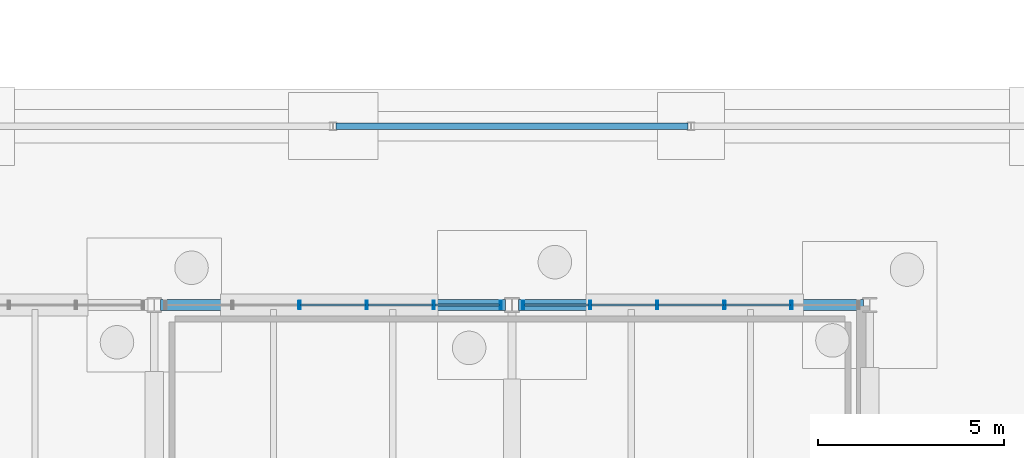
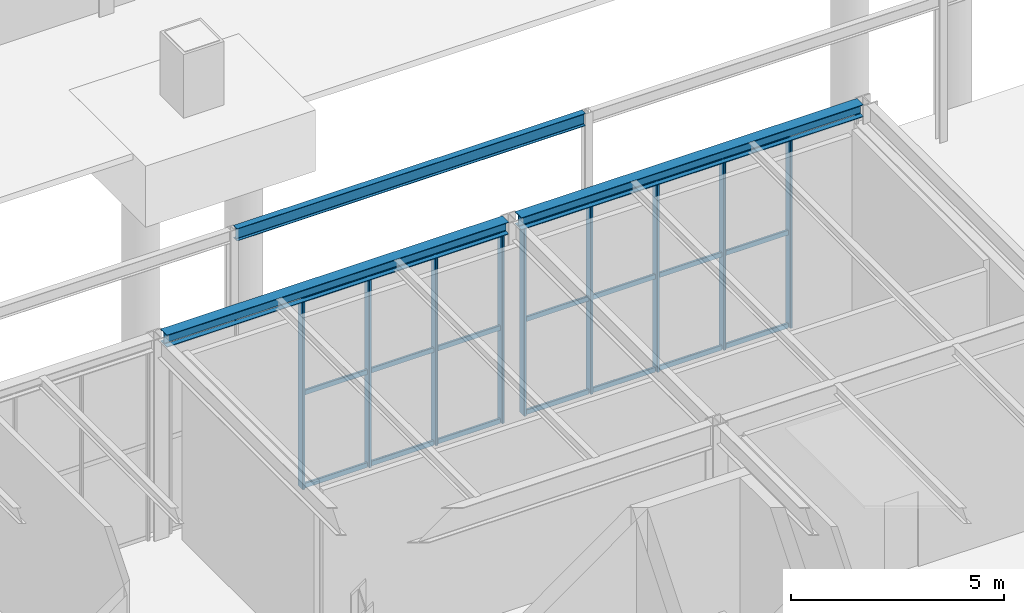
# One storey, part 62 of 142: 30 members, 3 beams, 2 elements without a shape of their own.
"""IFC4 building model written with IfcOpenShell, lengths in metres."""

from ifc_helpers import new_model, si_unit, direction, frame, origin, origin_2d, place, context, subcontext, project, spatial, hollow_rectangle, i_section, extrude, material, material_profile, profile_set, type_object, element, aggregate, save


model = new_model("IFC4")

# Units and contexts
model_context = context("Model", 3, precision=1e-05, world=origin(), true_north=direction((0.0, 1.0)))
body_context = subcontext(model_context, "Body", "Model", "MODEL_VIEW")
ifc_project = project(units=[si_unit("LENGTHUNIT", "METRE"), si_unit("AREAUNIT", "SQUARE_METRE"), si_unit("VOLUMEUNIT", "CUBIC_METRE"), si_unit("PLANEANGLEUNIT", "RADIAN"), si_unit("MASSUNIT", "GRAM", prefix="KILO")], contexts=[model_context])

# Site, building, storey
site_placement = place(None, origin())
site = spatial("IfcSite", under=ifc_project, at=site_placement, CompositionType="ELEMENT")
building_placement = place(site_placement, origin())
building = spatial("IfcBuilding", under=site, at=building_placement, Name="Coralgate Yard Interchange", CompositionType="ELEMENT")
storey_placement = place(building_placement, origin())
storey = spatial("IfcBuildingStorey", under=building, at=storey_placement, Name="L00", CompositionType="ELEMENT", Elevation=0.0)

# Beams
ifc_material_1 = material(Name="Structural steel S355J2", Category="steel")
ifc_material_profile_1 = material_profile(ifc_material_1, i_section(OverallWidth=0.17138671875, OverallDepth=0.35498046875, WebThickness=0.00732421875, FlangeThickness=0.011474609375, FilletRadius=0.01025390625, at=origin_2d()), Name="UB 356x171x51")
ifc_profile_set_1 = profile_set([ifc_material_profile_1], Name="Structural steel S355J2")
beam_type_1 = type_object("IfcBeamType", Name="BM-SB-4", PredefinedType="BEAM", material=ifc_profile_set_1)
beam_placement = place(storey_placement, frame((81.679931640625, 24.0, 4.0224609375), z_axis=(1.0, 0.0, 0.0), x_axis=(0.0, 1.0, 0.0)))
element("IfcBeam", 1, at=beam_placement, inside=storey, type_object=beam_type_1, Name="Courtyard colonnade canopy beam 3", PredefinedType="BEAM", context=body_context, shape_type="SweptSolid", body=[
    extrude(i_section(OverallWidth=0.17138671875, OverallDepth=0.35498046875, WebThickness=0.00732421875, FlangeThickness=0.011474609375, FilletRadius=0.01025390625, at=origin_2d()), origin(), (0.0, 0.0, 1.0), 9.440185546875),
])
ifc_material_profile_2 = material_profile(ifc_material_1, i_section(OverallWidth=0.300048828125, OverallDepth=0.35009765625, WebThickness=0.010009765625, FlangeThickness=0.017578125, FilletRadius=0.027099609375, at=origin_2d()), Name="HEA 360")
ifc_profile_set_2 = profile_set([ifc_material_profile_2], Name="Structural steel S355J2")
beam_type_2 = type_object("IfcBeamType", Name="BM-SP-1", PredefinedType="SPANDREL", material=ifc_profile_set_2)
for number, where, z_axis, x_axis, name in (
    (2, (76.969482421875, 19.199951171875, 5.574951171875), (1.0, 0.0, 0.0), (0.0, 1.0, 0.0), "L00 primary grid beam Y2 X8-9"),
    (3, (86.569580078125, 19.199951171875, 5.574951171875), (1.0, 0.0, 0.0), (0.0, 1.0, 0.0), "L00 primary grid beam Y2 X9-10"),
):
    element("IfcBeam", number, at=place(storey_placement, frame(where, z_axis=z_axis, x_axis=x_axis)), inside=storey, type_object=beam_type_2, Name=name, PredefinedType="SPANDREL", context=body_context, shape_type="SweptSolid", body=[
        extrude(i_section(OverallWidth=0.300048828125, OverallDepth=0.35009765625, WebThickness=0.010009765625, FlangeThickness=0.017578125, FilletRadius=0.027099609375, at=origin_2d()), origin(), (0.0, 0.0, 1.0), 9.260986328125),
    ])

# Curtain wall, members
ifc_material_2 = material(Name="Anodised coastal aluminium and solar-control low-E glass", Category="aluminium")
curtain_wall_type_1 = type_object("IfcCurtainWallType", Name="CW-CW-L00-B", PredefinedType="NOTDEFINED", material=ifc_material_2)
curtain_wall_1_placement = place(storey_placement, origin())
curtain_wall_1 = element("IfcCurtainWall", 4, at=curtain_wall_1_placement, inside=storey, type_object=curtain_wall_type_1, Name="L00 unitised curtain wall CW-L00-N-08-01", PredefinedType="NOTDEFINED")
ifc_material_3 = material(Name="Anodised coastal aluminium 6063-T6", Category="aluminium")
ifc_material_profile_3 = material_profile(ifc_material_3, hollow_rectangle(XDim=0.06005859375, YDim=0.219970703125, WallThickness=0.00390625, InnerFilletRadius=0.00390625, OuterFilletRadius=0.008056640625, at=origin_2d()), Name="ALU 60x220x4")
ifc_profile_set_3 = profile_set([ifc_material_profile_3], Name="Anodised coastal aluminium 6063-T6")
member_type_1 = type_object("IfcMemberType", Name="MB-MUL-220", PredefinedType="MULLION", material=ifc_profile_set_3)
member_1_placement = place(storey_placement, frame((80.699951171875, 19.199951171875, 0.0), z_axis=(0.0, 0.0, 1.0), x_axis=(1.0, 0.0, 0.0)))
member_1 = element("IfcMember", 5, at=member_1_placement, type_object=member_type_1, Name="CW-L00-N-08-01 vertical mullion 3", PredefinedType="MULLION", context=body_context, shape_type="SweptSolid", body=[
    extrude(hollow_rectangle(XDim=0.06005859375, YDim=0.219970703125, WallThickness=0.00390625, InnerFilletRadius=0.00390625, OuterFilletRadius=0.008056640625, at=origin_2d()), origin(), (0.0, 0.0, 1.0), 5.39990234375),
])
member_2_placement = place(storey_placement, frame((82.5, 19.199951171875, 0.0), z_axis=(0.0, 0.0, 1.0), x_axis=(1.0, 0.0, 0.0)))
member_2 = element("IfcMember", 6, at=member_2_placement, type_object=member_type_1, Name="CW-L00-N-08-01 vertical mullion 4", PredefinedType="MULLION", context=body_context, shape_type="SweptSolid", body=[
    extrude(hollow_rectangle(XDim=0.06005859375, YDim=0.219970703125, WallThickness=0.00390625, InnerFilletRadius=0.00390625, OuterFilletRadius=0.008056640625, at=origin_2d()), origin(), (0.0, 0.0, 1.0), 5.39990234375),
])
member_3_placement = place(storey_placement, frame((84.300048828125, 19.199951171875, 0.0), z_axis=(0.0, 0.0, 1.0), x_axis=(1.0, 0.0, 0.0)))
member_3 = element("IfcMember", 7, at=member_3_placement, type_object=member_type_1, Name="CW-L00-N-08-01 vertical mullion 5", PredefinedType="MULLION", context=body_context, shape_type="SweptSolid", body=[
    extrude(hollow_rectangle(XDim=0.06005859375, YDim=0.219970703125, WallThickness=0.00390625, InnerFilletRadius=0.00390625, OuterFilletRadius=0.008056640625, at=origin_2d()), origin(), (0.0, 0.0, 1.0), 5.39990234375),
])
member_4_placement = place(storey_placement, frame((86.10009765625, 19.199951171875, 0.0), z_axis=(0.0, 0.0, 1.0), x_axis=(1.0, 0.0, 0.0)))
member_4 = element("IfcMember", 8, at=member_4_placement, type_object=member_type_1, Name="CW-L00-N-08-01 vertical mullion 6", PredefinedType="MULLION", context=body_context, shape_type="SweptSolid", body=[
    extrude(hollow_rectangle(XDim=0.06005859375, YDim=0.219970703125, WallThickness=0.00390625, InnerFilletRadius=0.00390625, OuterFilletRadius=0.008056640625, at=origin_2d()), origin(), (0.0, 0.0, 1.0), 5.39990234375),
])

curtain_wall_type_2 = type_object("IfcCurtainWallType", Name="CW-CW-L00-A", PredefinedType="NOTDEFINED", material=ifc_material_2)
curtain_wall_2_placement = place(storey_placement, origin())
curtain_wall_2 = element("IfcCurtainWall", 9, at=curtain_wall_2_placement, inside=storey, type_object=curtain_wall_type_2, Name="L00 unitised curtain wall CW-L00-N-09-01", PredefinedType="NOTDEFINED")
member_5_placement = place(storey_placement, frame((86.699951171875, 19.199951171875, 0.0), z_axis=(0.0, 0.0, 1.0), x_axis=(1.0, 0.0, 0.0)))
member_5 = element("IfcMember", 10, at=member_5_placement, type_object=member_type_1, Name="CW-L00-N-09-01 vertical mullion 1", PredefinedType="MULLION", context=body_context, shape_type="SweptSolid", body=[
    extrude(hollow_rectangle(XDim=0.06005859375, YDim=0.219970703125, WallThickness=0.00390625, InnerFilletRadius=0.00390625, OuterFilletRadius=0.008056640625, at=origin_2d()), origin(), (0.0, 0.0, 1.0), 5.39990234375),
])
member_6_placement = place(storey_placement, frame((88.5, 19.199951171875, 0.0), z_axis=(0.0, 0.0, 1.0), x_axis=(1.0, 0.0, 0.0)))
member_6 = element("IfcMember", 11, at=member_6_placement, type_object=member_type_1, Name="CW-L00-N-09-01 vertical mullion 2", PredefinedType="MULLION", context=body_context, shape_type="SweptSolid", body=[
    extrude(hollow_rectangle(XDim=0.06005859375, YDim=0.219970703125, WallThickness=0.00390625, InnerFilletRadius=0.00390625, OuterFilletRadius=0.008056640625, at=origin_2d()), origin(), (0.0, 0.0, 1.0), 5.39990234375),
])
member_7_placement = place(storey_placement, frame((90.300048828125, 19.199951171875, 0.0), z_axis=(0.0, 0.0, 1.0), x_axis=(1.0, 0.0, 0.0)))
member_7 = element("IfcMember", 12, at=member_7_placement, type_object=member_type_1, Name="CW-L00-N-09-01 vertical mullion 3", PredefinedType="MULLION", context=body_context, shape_type="SweptSolid", body=[
    extrude(hollow_rectangle(XDim=0.06005859375, YDim=0.219970703125, WallThickness=0.00390625, InnerFilletRadius=0.00390625, OuterFilletRadius=0.008056640625, at=origin_2d()), origin(), (0.0, 0.0, 1.0), 5.39990234375),
])
member_8_placement = place(storey_placement, frame((92.10009765625, 19.199951171875, 0.0), z_axis=(0.0, 0.0, 1.0), x_axis=(1.0, 0.0, 0.0)))
member_8 = element("IfcMember", 13, at=member_8_placement, type_object=member_type_1, Name="CW-L00-N-09-01 vertical mullion 4", PredefinedType="MULLION", context=body_context, shape_type="SweptSolid", body=[
    extrude(hollow_rectangle(XDim=0.06005859375, YDim=0.219970703125, WallThickness=0.00390625, InnerFilletRadius=0.00390625, OuterFilletRadius=0.008056640625, at=origin_2d()), origin(), (0.0, 0.0, 1.0), 5.39990234375),
])
member_9_placement = place(storey_placement, frame((93.89990234375, 19.199951171875, 0.0), z_axis=(0.0, 0.0, 1.0), x_axis=(1.0, 0.0, 0.0)))
member_9 = element("IfcMember", 14, at=member_9_placement, type_object=member_type_1, Name="CW-L00-N-09-01 vertical mullion 5", PredefinedType="MULLION", context=body_context, shape_type="SweptSolid", body=[
    extrude(hollow_rectangle(XDim=0.06005859375, YDim=0.219970703125, WallThickness=0.00390625, InnerFilletRadius=0.00390625, OuterFilletRadius=0.008056640625, at=origin_2d()), origin(), (0.0, 0.0, 1.0), 5.39990234375),
])

# Member
ifc_material_profile_4 = material_profile(ifc_material_3, hollow_rectangle(XDim=0.06005859375, YDim=0.139892578125, WallThickness=0.00341796875, InnerFilletRadius=0.00341796875, OuterFilletRadius=0.007080078125, at=origin_2d()), Name="ALU 60x140x3.5")
ifc_profile_set_4 = profile_set([ifc_material_profile_4], Name="Anodised coastal aluminium 6063-T6")
member_type_2 = type_object("IfcMemberType", Name="MB-TRN-140", PredefinedType="USERDEFINED", material=ifc_profile_set_4)
member_10_placement = place(storey_placement, frame((80.72998046875, 19.199951171875, 0.034912109375), z_axis=(1.0, 0.0, 0.0), x_axis=(0.0, 1.0, 0.0)))
member_10 = element("IfcMember", 15, at=member_10_placement, type_object=member_type_2, Name="CW-L00-N-08-01 horizontal transom 3-1", ObjectType="TRANSOM", PredefinedType="USERDEFINED", context=body_context, shape_type="SweptSolid", body=[
    extrude(hollow_rectangle(XDim=0.06005859375, YDim=0.139892578125, WallThickness=0.00341796875, InnerFilletRadius=0.00341796875, OuterFilletRadius=0.007080078125, at=origin_2d()), origin(), (0.0, 0.0, 1.0), 1.739990234375),
])

member_11_placement = place(storey_placement, frame((80.72998046875, 19.199951171875, 2.699951171875), z_axis=(1.0, 0.0, 0.0), x_axis=(0.0, 1.0, 0.0)))
member_11 = element("IfcMember", 16, at=member_11_placement, type_object=member_type_2, Name="CW-L00-N-08-01 horizontal transom 3-2", ObjectType="TRANSOM", PredefinedType="USERDEFINED", context=body_context, shape_type="SweptSolid", body=[
    extrude(hollow_rectangle(XDim=0.06005859375, YDim=0.139892578125, WallThickness=0.00341796875, InnerFilletRadius=0.00341796875, OuterFilletRadius=0.007080078125, at=origin_2d()), origin(), (0.0, 0.0, 1.0), 1.739990234375),
])

member_12_placement = place(storey_placement, frame((80.72998046875, 19.199951171875, 5.364990234375), z_axis=(1.0, 0.0, 0.0), x_axis=(0.0, 1.0, 0.0)))
member_12 = element("IfcMember", 17, at=member_12_placement, type_object=member_type_2, Name="CW-L00-N-08-01 horizontal transom 3-3", ObjectType="TRANSOM", PredefinedType="USERDEFINED", context=body_context, shape_type="SweptSolid", body=[
    extrude(hollow_rectangle(XDim=0.06005859375, YDim=0.139892578125, WallThickness=0.00341796875, InnerFilletRadius=0.00341796875, OuterFilletRadius=0.007080078125, at=origin_2d()), origin(), (0.0, 0.0, 1.0), 1.739990234375),
])

member_13_placement = place(storey_placement, frame((82.530029296875, 19.199951171875, 0.034912109375), z_axis=(1.0, 0.0, 0.0), x_axis=(0.0, 1.0, 0.0)))
member_13 = element("IfcMember", 18, at=member_13_placement, type_object=member_type_2, Name="CW-L00-N-08-01 horizontal transom 4-1", ObjectType="TRANSOM", PredefinedType="USERDEFINED", context=body_context, shape_type="SweptSolid", body=[
    extrude(hollow_rectangle(XDim=0.06005859375, YDim=0.139892578125, WallThickness=0.00341796875, InnerFilletRadius=0.00341796875, OuterFilletRadius=0.007080078125, at=origin_2d()), origin(), (0.0, 0.0, 1.0), 1.739990234375),
])

member_14_placement = place(storey_placement, frame((82.530029296875, 19.199951171875, 2.699951171875), z_axis=(1.0, 0.0, 0.0), x_axis=(0.0, 1.0, 0.0)))
member_14 = element("IfcMember", 19, at=member_14_placement, type_object=member_type_2, Name="CW-L00-N-08-01 horizontal transom 4-2", ObjectType="TRANSOM", PredefinedType="USERDEFINED", context=body_context, shape_type="SweptSolid", body=[
    extrude(hollow_rectangle(XDim=0.06005859375, YDim=0.139892578125, WallThickness=0.00341796875, InnerFilletRadius=0.00341796875, OuterFilletRadius=0.007080078125, at=origin_2d()), origin(), (0.0, 0.0, 1.0), 1.739990234375),
])

member_15_placement = place(storey_placement, frame((82.530029296875, 19.199951171875, 5.364990234375), z_axis=(1.0, 0.0, 0.0), x_axis=(0.0, 1.0, 0.0)))
member_15 = element("IfcMember", 20, at=member_15_placement, type_object=member_type_2, Name="CW-L00-N-08-01 horizontal transom 4-3", ObjectType="TRANSOM", PredefinedType="USERDEFINED", context=body_context, shape_type="SweptSolid", body=[
    extrude(hollow_rectangle(XDim=0.06005859375, YDim=0.139892578125, WallThickness=0.00341796875, InnerFilletRadius=0.00341796875, OuterFilletRadius=0.007080078125, at=origin_2d()), origin(), (0.0, 0.0, 1.0), 1.739990234375),
])

member_16_placement = place(storey_placement, frame((84.330078125, 19.199951171875, 0.034912109375), z_axis=(1.0, 0.0, 0.0), x_axis=(0.0, 1.0, 0.0)))
member_16 = element("IfcMember", 21, at=member_16_placement, type_object=member_type_2, Name="CW-L00-N-08-01 horizontal transom 5-1", ObjectType="TRANSOM", PredefinedType="USERDEFINED", context=body_context, shape_type="SweptSolid", body=[
    extrude(hollow_rectangle(XDim=0.06005859375, YDim=0.139892578125, WallThickness=0.00341796875, InnerFilletRadius=0.00341796875, OuterFilletRadius=0.007080078125, at=origin_2d()), origin(), (0.0, 0.0, 1.0), 1.739990234375),
])

member_17_placement = place(storey_placement, frame((84.330078125, 19.199951171875, 2.699951171875), z_axis=(1.0, 0.0, 0.0), x_axis=(0.0, 1.0, 0.0)))
member_17 = element("IfcMember", 22, at=member_17_placement, type_object=member_type_2, Name="CW-L00-N-08-01 horizontal transom 5-2", ObjectType="TRANSOM", PredefinedType="USERDEFINED", context=body_context, shape_type="SweptSolid", body=[
    extrude(hollow_rectangle(XDim=0.06005859375, YDim=0.139892578125, WallThickness=0.00341796875, InnerFilletRadius=0.00341796875, OuterFilletRadius=0.007080078125, at=origin_2d()), origin(), (0.0, 0.0, 1.0), 1.739990234375),
])

member_18_placement = place(storey_placement, frame((84.330078125, 19.199951171875, 5.364990234375), z_axis=(1.0, 0.0, 0.0), x_axis=(0.0, 1.0, 0.0)))
member_18 = element("IfcMember", 23, at=member_18_placement, type_object=member_type_2, Name="CW-L00-N-08-01 horizontal transom 5-3", ObjectType="TRANSOM", PredefinedType="USERDEFINED", context=body_context, shape_type="SweptSolid", body=[
    extrude(hollow_rectangle(XDim=0.06005859375, YDim=0.139892578125, WallThickness=0.00341796875, InnerFilletRadius=0.00341796875, OuterFilletRadius=0.007080078125, at=origin_2d()), origin(), (0.0, 0.0, 1.0), 1.739990234375),
])

aggregate(curtain_wall_1, [member_1, member_2, member_3, member_4, member_10, member_11, member_12, member_13, member_14, member_15, member_16, member_17, member_18])

member_19_placement = place(storey_placement, frame((86.72998046875, 19.199951171875, 0.034912109375), z_axis=(1.0, 0.0, 0.0), x_axis=(0.0, 1.0, 0.0)))
member_19 = element("IfcMember", 24, at=member_19_placement, type_object=member_type_2, Name="CW-L00-N-09-01 horizontal transom 1-1", ObjectType="TRANSOM", PredefinedType="USERDEFINED", context=body_context, shape_type="SweptSolid", body=[
    extrude(hollow_rectangle(XDim=0.06005859375, YDim=0.139892578125, WallThickness=0.00341796875, InnerFilletRadius=0.00341796875, OuterFilletRadius=0.007080078125, at=origin_2d()), origin(), (0.0, 0.0, 1.0), 1.739990234375),
])

member_20_placement = place(storey_placement, frame((86.72998046875, 19.199951171875, 2.699951171875), z_axis=(1.0, 0.0, 0.0), x_axis=(0.0, 1.0, 0.0)))
member_20 = element("IfcMember", 25, at=member_20_placement, type_object=member_type_2, Name="CW-L00-N-09-01 horizontal transom 1-2", ObjectType="TRANSOM", PredefinedType="USERDEFINED", context=body_context, shape_type="SweptSolid", body=[
    extrude(hollow_rectangle(XDim=0.06005859375, YDim=0.139892578125, WallThickness=0.00341796875, InnerFilletRadius=0.00341796875, OuterFilletRadius=0.007080078125, at=origin_2d()), origin(), (0.0, 0.0, 1.0), 1.739990234375),
])

member_21_placement = place(storey_placement, frame((86.72998046875, 19.199951171875, 5.364990234375), z_axis=(1.0, 0.0, 0.0), x_axis=(0.0, 1.0, 0.0)))
member_21 = element("IfcMember", 26, at=member_21_placement, type_object=member_type_2, Name="CW-L00-N-09-01 horizontal transom 1-3", ObjectType="TRANSOM", PredefinedType="USERDEFINED", context=body_context, shape_type="SweptSolid", body=[
    extrude(hollow_rectangle(XDim=0.06005859375, YDim=0.139892578125, WallThickness=0.00341796875, InnerFilletRadius=0.00341796875, OuterFilletRadius=0.007080078125, at=origin_2d()), origin(), (0.0, 0.0, 1.0), 1.739990234375),
])

member_22_placement = place(storey_placement, frame((88.530029296875, 19.199951171875, 0.034912109375), z_axis=(1.0, 0.0, 0.0), x_axis=(0.0, 1.0, 0.0)))
member_22 = element("IfcMember", 27, at=member_22_placement, type_object=member_type_2, Name="CW-L00-N-09-01 horizontal transom 2-1", ObjectType="TRANSOM", PredefinedType="USERDEFINED", context=body_context, shape_type="SweptSolid", body=[
    extrude(hollow_rectangle(XDim=0.06005859375, YDim=0.139892578125, WallThickness=0.00341796875, InnerFilletRadius=0.00341796875, OuterFilletRadius=0.007080078125, at=origin_2d()), origin(), (0.0, 0.0, 1.0), 1.739990234375),
])

member_23_placement = place(storey_placement, frame((88.530029296875, 19.199951171875, 2.699951171875), z_axis=(1.0, 0.0, 0.0), x_axis=(0.0, 1.0, 0.0)))
member_23 = element("IfcMember", 28, at=member_23_placement, type_object=member_type_2, Name="CW-L00-N-09-01 horizontal transom 2-2", ObjectType="TRANSOM", PredefinedType="USERDEFINED", context=body_context, shape_type="SweptSolid", body=[
    extrude(hollow_rectangle(XDim=0.06005859375, YDim=0.139892578125, WallThickness=0.00341796875, InnerFilletRadius=0.00341796875, OuterFilletRadius=0.007080078125, at=origin_2d()), origin(), (0.0, 0.0, 1.0), 1.739990234375),
])

member_24_placement = place(storey_placement, frame((88.530029296875, 19.199951171875, 5.364990234375), z_axis=(1.0, 0.0, 0.0), x_axis=(0.0, 1.0, 0.0)))
member_24 = element("IfcMember", 29, at=member_24_placement, type_object=member_type_2, Name="CW-L00-N-09-01 horizontal transom 2-3", ObjectType="TRANSOM", PredefinedType="USERDEFINED", context=body_context, shape_type="SweptSolid", body=[
    extrude(hollow_rectangle(XDim=0.06005859375, YDim=0.139892578125, WallThickness=0.00341796875, InnerFilletRadius=0.00341796875, OuterFilletRadius=0.007080078125, at=origin_2d()), origin(), (0.0, 0.0, 1.0), 1.739990234375),
])

member_25_placement = place(storey_placement, frame((90.330078125, 19.199951171875, 0.034912109375), z_axis=(1.0, 0.0, 0.0), x_axis=(0.0, 1.0, 0.0)))
member_25 = element("IfcMember", 30, at=member_25_placement, type_object=member_type_2, Name="CW-L00-N-09-01 horizontal transom 3-1", ObjectType="TRANSOM", PredefinedType="USERDEFINED", context=body_context, shape_type="SweptSolid", body=[
    extrude(hollow_rectangle(XDim=0.06005859375, YDim=0.139892578125, WallThickness=0.00341796875, InnerFilletRadius=0.00341796875, OuterFilletRadius=0.007080078125, at=origin_2d()), origin(), (0.0, 0.0, 1.0), 1.739990234375),
])

member_26_placement = place(storey_placement, frame((90.330078125, 19.199951171875, 2.699951171875), z_axis=(1.0, 0.0, 0.0), x_axis=(0.0, 1.0, 0.0)))
member_26 = element("IfcMember", 31, at=member_26_placement, type_object=member_type_2, Name="CW-L00-N-09-01 horizontal transom 3-2", ObjectType="TRANSOM", PredefinedType="USERDEFINED", context=body_context, shape_type="SweptSolid", body=[
    extrude(hollow_rectangle(XDim=0.06005859375, YDim=0.139892578125, WallThickness=0.00341796875, InnerFilletRadius=0.00341796875, OuterFilletRadius=0.007080078125, at=origin_2d()), origin(), (0.0, 0.0, 1.0), 1.739990234375),
])

member_27_placement = place(storey_placement, frame((90.330078125, 19.199951171875, 5.364990234375), z_axis=(1.0, 0.0, 0.0), x_axis=(0.0, 1.0, 0.0)))
member_27 = element("IfcMember", 32, at=member_27_placement, type_object=member_type_2, Name="CW-L00-N-09-01 horizontal transom 3-3", ObjectType="TRANSOM", PredefinedType="USERDEFINED", context=body_context, shape_type="SweptSolid", body=[
    extrude(hollow_rectangle(XDim=0.06005859375, YDim=0.139892578125, WallThickness=0.00341796875, InnerFilletRadius=0.00341796875, OuterFilletRadius=0.007080078125, at=origin_2d()), origin(), (0.0, 0.0, 1.0), 1.739990234375),
])

member_28_placement = place(storey_placement, frame((92.1298828125, 19.199951171875, 0.034912109375), z_axis=(1.0, 0.0, 0.0), x_axis=(0.0, 1.0, 0.0)))
member_28 = element("IfcMember", 33, at=member_28_placement, type_object=member_type_2, Name="CW-L00-N-09-01 horizontal transom 4-1", ObjectType="TRANSOM", PredefinedType="USERDEFINED", context=body_context, shape_type="SweptSolid", body=[
    extrude(hollow_rectangle(XDim=0.06005859375, YDim=0.139892578125, WallThickness=0.00341796875, InnerFilletRadius=0.00341796875, OuterFilletRadius=0.007080078125, at=origin_2d()), origin(), (0.0, 0.0, 1.0), 1.740234375),
])

member_29_placement = place(storey_placement, frame((92.1298828125, 19.199951171875, 2.699951171875), z_axis=(1.0, 0.0, 0.0), x_axis=(0.0, 1.0, 0.0)))
member_29 = element("IfcMember", 34, at=member_29_placement, type_object=member_type_2, Name="CW-L00-N-09-01 horizontal transom 4-2", ObjectType="TRANSOM", PredefinedType="USERDEFINED", context=body_context, shape_type="SweptSolid", body=[
    extrude(hollow_rectangle(XDim=0.06005859375, YDim=0.139892578125, WallThickness=0.00341796875, InnerFilletRadius=0.00341796875, OuterFilletRadius=0.007080078125, at=origin_2d()), origin(), (0.0, 0.0, 1.0), 1.740234375),
])

member_30_placement = place(storey_placement, frame((92.1298828125, 19.199951171875, 5.364990234375), z_axis=(1.0, 0.0, 0.0), x_axis=(0.0, 1.0, 0.0)))
member_30 = element("IfcMember", 35, at=member_30_placement, type_object=member_type_2, Name="CW-L00-N-09-01 horizontal transom 4-3", ObjectType="TRANSOM", PredefinedType="USERDEFINED", context=body_context, shape_type="SweptSolid", body=[
    extrude(hollow_rectangle(XDim=0.06005859375, YDim=0.139892578125, WallThickness=0.00341796875, InnerFilletRadius=0.00341796875, OuterFilletRadius=0.007080078125, at=origin_2d()), origin(), (0.0, 0.0, 1.0), 1.740234375),
])

aggregate(curtain_wall_2, [member_5, member_6, member_7, member_8, member_9, member_19, member_20, member_21, member_22, member_23, member_24, member_25, member_26, member_27, member_28, member_29, member_30])

save(model, "model.ifc")
